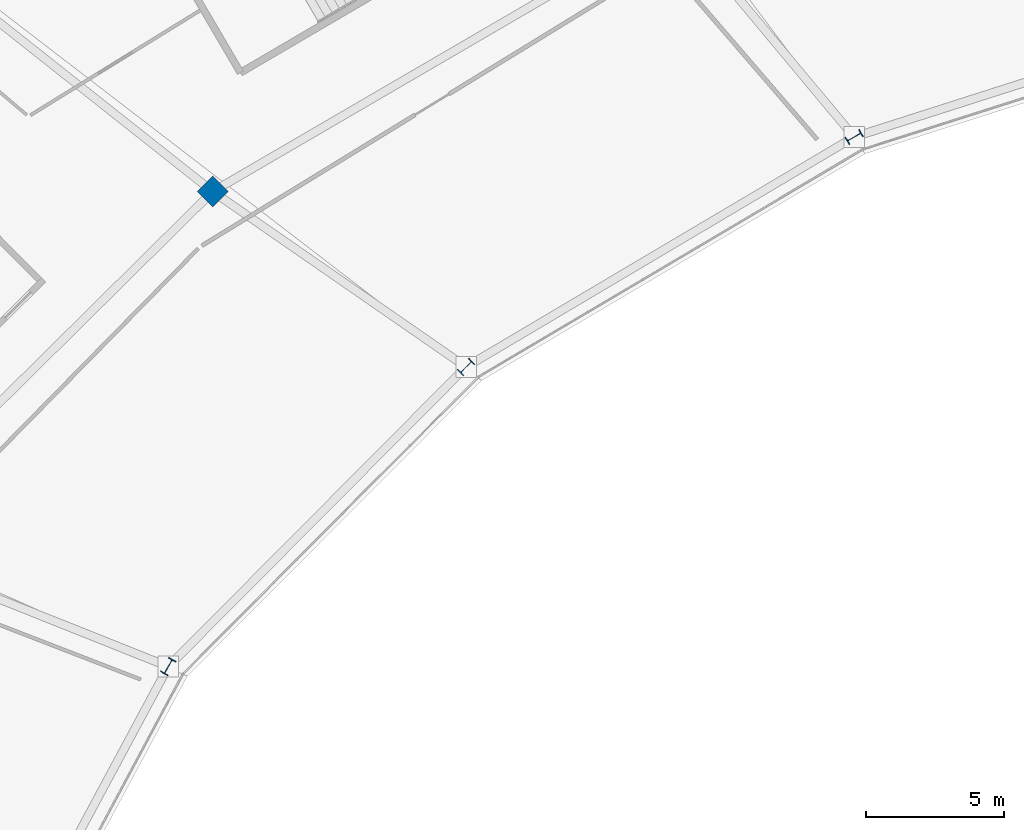
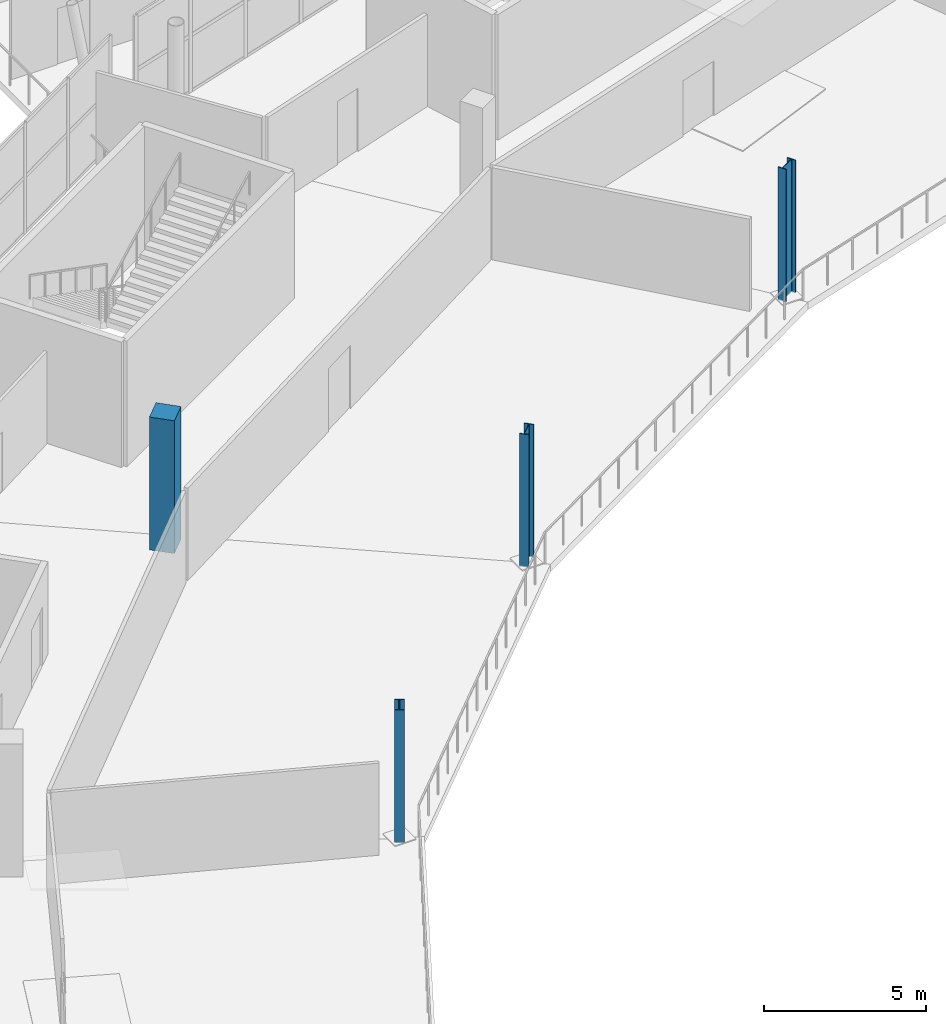
# One storey, part 10 of 179: 4 columns.
"""IFC4 building model written with IfcOpenShell, lengths in metres."""

from ifc_helpers import new_model, si_unit, direction, frame, origin, origin_2d, place, context, subcontext, project, spatial, rectangle, i_section, extrude, material, material_profile, profile_set, type_object, element, save


model = new_model("IFC4")

# Units and contexts
model_context = context("Model", 3, precision=1e-05, world=origin(), true_north=direction((0.0, 1.0)))
body_context = subcontext(model_context, "Body", "Model", "MODEL_VIEW")
ifc_project = project(units=[si_unit("LENGTHUNIT", "METRE"), si_unit("AREAUNIT", "SQUARE_METRE"), si_unit("VOLUMEUNIT", "CUBIC_METRE"), si_unit("PLANEANGLEUNIT", "RADIAN"), si_unit("MASSUNIT", "GRAM", prefix="KILO")], contexts=[model_context])

# Site, building, storey
site_placement = place(None, origin())
site = spatial("IfcSite", under=ifc_project, at=site_placement, CompositionType="ELEMENT")
building_placement = place(site_placement, origin())
building = spatial("IfcBuilding", under=site, at=building_placement, Name="Zlatoyarsky Gate Stadium", CompositionType="ELEMENT")
storey_placement = place(building_placement, frame((0.0, 0.0, 10.60009765625)))
storey = spatial("IfcBuildingStorey", under=building, at=storey_placement, Name="L02", CompositionType="ELEMENT", Elevation=10.60009765625)

# Columns
ifc_material_1 = material(Name="Concrete C40/50", Category="concrete")
ifc_material_profile_1 = material_profile(ifc_material_1, rectangle(XDim=0.800048828125, YDim=0.800048828125, at=origin_2d()), Name="RC COL 800X800")
ifc_profile_set_1 = profile_set([ifc_material_profile_1], Name="Concrete C40/50")
column_type_1 = type_object("IfcColumnType", Name="CONCRETE COLUMN 800X800", PredefinedType="COLUMN", material=ifc_profile_set_1)
column_placement = place(storey_placement, frame((53.724365234375, 123.487060546875, 0.0), z_axis=(0.0, 0.0, 1.0), x_axis=(-0.707106781187, 0.707106781187, 0.0)))
element("IfcColumn", 1, at=column_placement, inside=storey, type_object=column_type_1, Name="Column RC-C80 RB-09 on L02", PredefinedType="COLUMN", context=body_context, shape_type="SweptSolid", body=[
    extrude(rectangle(XDim=0.800048828125, YDim=0.800048828125, at=origin_2d()), origin(), (0.0, 0.0, 1.0), 5.0),
])
ifc_material_2 = material(Name="Steel S355", Category="steel")
ifc_material_profile_2 = material_profile(ifc_material_2, i_section(OverallWidth=0.300048828125, OverallDepth=0.60009765625, WebThickness=0.015380859375, FlangeThickness=0.030029296875, FilletRadius=0.027099609375, at=origin_2d()), Name="HEB 600")
ifc_profile_set_2 = profile_set([ifc_material_profile_2], Name="Steel S355")
column_type_2 = type_object("IfcColumnType", Name="STEEL COLUMN HEB 600", PredefinedType="COLUMN", material=ifc_profile_set_2)
for number, where, z_axis, x_axis, name in (
    (2, (77.0, 125.46630859375, 0.0), (0.0, 0.0, 1.0), (-0.5, 0.866025403784, 0.0), "Column ST-C600 RA-08 on L02"),
    (3, (62.916748046875, 117.123046875, 0.0), (0.0, 0.0, 1.0), (-0.707106781187, 0.707106781187, 0.0), "Column ST-C600 RA-09 on L02"),
    (4, (52.1103515625, 106.25, 0.0), (0.0, 0.0, 1.0), (-0.866025403784, 0.5, 0.0), "Column ST-C600 RA-10 on L02"),
):
    element("IfcColumn", number, at=place(storey_placement, frame(where, z_axis=z_axis, x_axis=x_axis)), inside=storey, type_object=column_type_2, Name=name, PredefinedType="COLUMN", context=body_context, shape_type="SweptSolid", body=[
        extrude(i_section(OverallWidth=0.300048828125, OverallDepth=0.60009765625, WebThickness=0.015380859375, FlangeThickness=0.030029296875, FilletRadius=0.027099609375, at=origin_2d()), origin(), (0.0, 0.0, 1.0), 5.0),
    ])

save(model, "model.ifc")
